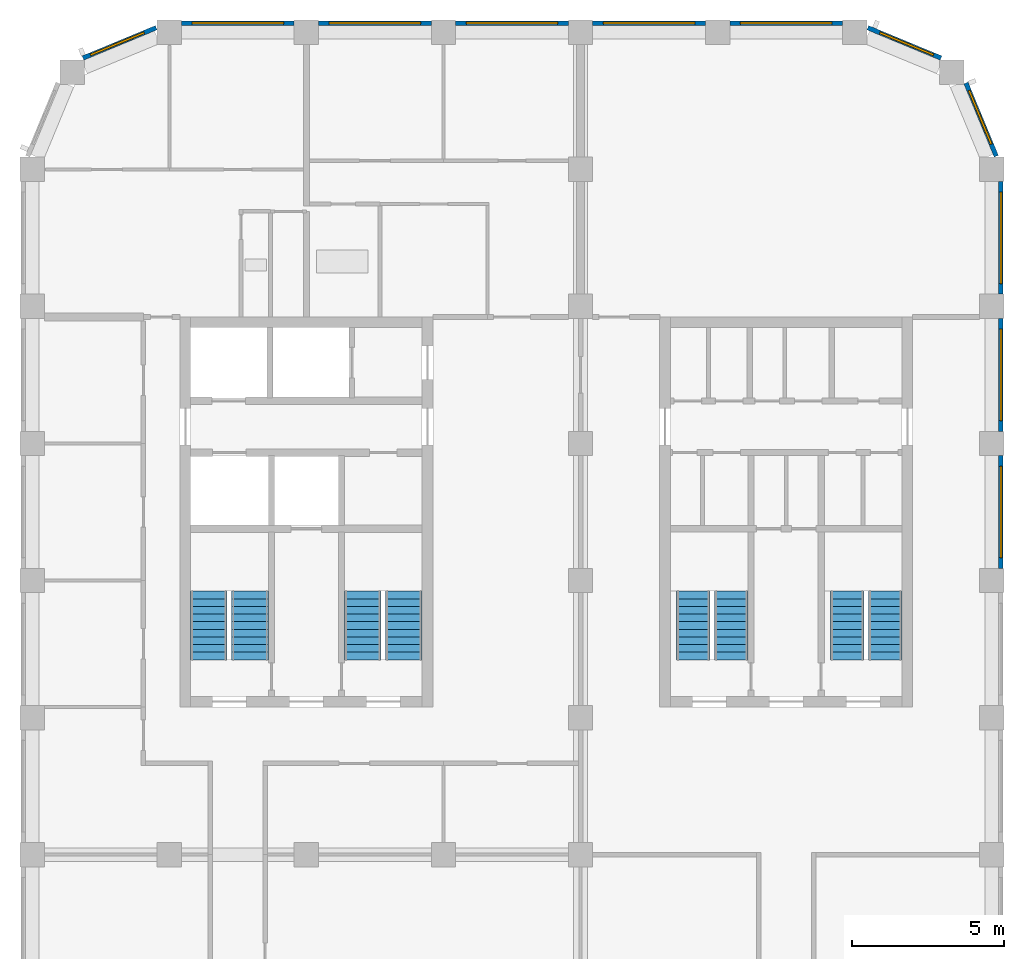
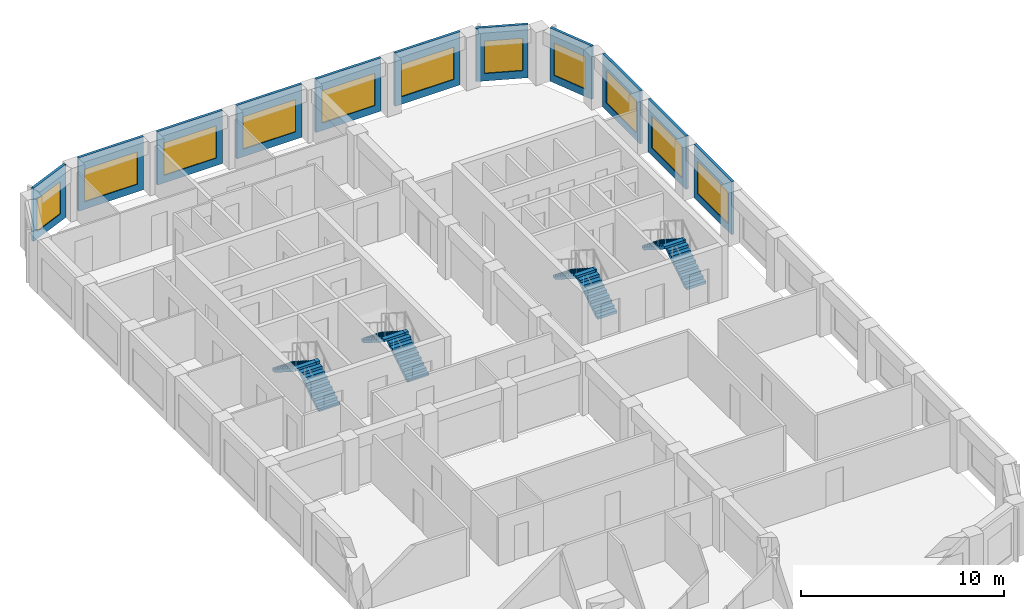
# One storey, part 7 of 9: 11 walls, 11 windows, 8 stair flights, 11 openings, 4 elements without a shape of their own.
"""IFC4 building model written with IfcOpenShell, lengths in metres."""

from ifc_helpers import new_model, si_unit, direction, frame, frame_2d, origin, place, context, subcontext, project, spatial, polyline, rectangle, outline, extrude, material, layer, layer_set, type_object, element, fill, aggregate, save


model = new_model("IFC4")

# Units and contexts
model_context = context("Model", 3, precision=1e-05, world=origin(), true_north=direction((0.0, 1.0)))
body_context = subcontext(model_context, "Body", "Model", "MODEL_VIEW")
ifc_project = project(units=[si_unit("LENGTHUNIT", "METRE"), si_unit("AREAUNIT", "SQUARE_METRE"), si_unit("VOLUMEUNIT", "CUBIC_METRE"), si_unit("PLANEANGLEUNIT", "RADIAN"), si_unit("MASSUNIT", "GRAM", prefix="KILO")], contexts=[model_context])

# Site, building, storey
site_placement = place(None, origin())
site = spatial("IfcSite", under=ifc_project, at=site_placement, CompositionType="ELEMENT")
building_placement = place(site_placement, origin())
building = spatial("IfcBuilding", under=site, at=building_placement, Name="Girih Gate Residences", CompositionType="ELEMENT")
storey_placement = place(building_placement, frame((0.0, 0.0, 222.89501953125)))
storey = spatial("IfcBuildingStorey", under=building, at=storey_placement, Name="L62", CompositionType="ELEMENT", Elevation=222.89501953125)

# Wall, opening, window
ifc_material_1 = material(Name="Precast concrete C50/60", Category="concrete")
ifc_layer_1 = layer(ifc_material_1, 0.050048828125, Name="Outer leaf")
ifc_material_2 = material(Name="Rigid PIR insulation")
ifc_layer_2 = layer(ifc_material_2, 0.06005859375, Name="Insulation")
ifc_material_3 = material(Name="Precast concrete C40/50", Category="concrete")
ifc_layer_3 = layer(ifc_material_3, 0.0400390625, Name="Inner leaf")
ifc_layer_set = layer_set([ifc_layer_1, ifc_layer_2, ifc_layer_3], Name="Precast concrete C50/60 external wall 150")
wall_type = type_object("IfcWallType", Name="Precast concrete C50/60 external wall 150", PredefinedType="SOLIDWALL", material=ifc_layer_set)
wall_1_placement = place(storey_placement, frame((31.800048828125, 35.60009765625, 0.0), z_axis=(0.0, 0.0, 1.0), x_axis=(0.0, -1.0, 0.0)))
wall_1 = element("IfcWall", 1, at=wall_1_placement, inside=storey, type_object=wall_type, Name="External wall E0315_0045.6", PredefinedType="SOLIDWALL", context=body_context, shape_type="SweptSolid", body=[
    extrude(rectangle(XDim=3.7001953125, YDim=0.14990234375, at=frame_2d((1.85009765625, 0.0))), origin(), (0.0, 0.0, 1.0), 3.199951171875),
])
opening_1_placement = place(wall_1_placement, frame((0.35009765625, 0.0, 0.449951171875)))
opening_1 = element("IfcOpeningElement", 2, at=opening_1_placement, cuts=wall_1, Name="Opening W-1D", PredefinedType="OPENING", context=body_context, shape_type="SweptSolid", body=[
    extrude(rectangle(XDim=3.0, YDim=1.949951171875, at=frame_2d((1.5, 0.97509765625))), frame((0.0, 0.0849609375, 0.0), z_axis=(0.0, -1.0, 0.0), x_axis=(1.0, 0.0, 0.0)), (0.0, 0.0, 1.0), 0.169921875),
])
ifc_material_4 = material(Name="Double glazing in aluminium frame", Category="aluminium")
window_type_1 = type_object("IfcWindowType", Name="Window W-1D 3000x1950", PartitioningType="SINGLE_PANEL", PredefinedType="WINDOW", material=ifc_material_4)
window_1_placement = place(opening_1_placement, origin())
window_1 = element("IfcWindow", 3, at=window_1_placement, inside=storey, type_object=window_type_1, Name="Window W-1D E0315_0045.6", OverallHeight=1.949951171875, OverallWidth=3.0, PartitioningType="SINGLE_PANEL", PredefinedType="WINDOW", context=body_context, shape_type="SweptSolid", body=[
    extrude(rectangle(XDim=3.0, YDim=1.949951171875, at=frame_2d((1.5, 0.97509765625))), frame((0.0, 0.030029296875, 0.0), z_axis=(0.0, -1.0, 0.0), x_axis=(1.0, 0.0, 0.0)), (0.0, 0.0, 1.0), 0.06005859375),
])
fill(opening_1, window_1)

wall_2_placement = place(storey_placement, frame((31.800048828125, 40.10009765625, 0.0), z_axis=(0.0, 0.0, 1.0), x_axis=(0.0, -1.0, 0.0)))
wall_2 = element("IfcWall", 4, at=wall_2_placement, inside=storey, type_object=wall_type, Name="External wall E0315_0045.7", PredefinedType="SOLIDWALL", context=body_context, shape_type="SweptSolid", body=[
    extrude(rectangle(XDim=3.7001953125, YDim=0.14990234375, at=frame_2d((1.85009765625, 0.0))), origin(), (0.0, 0.0, 1.0), 3.199951171875),
])
opening_2_placement = place(wall_2_placement, frame((0.35009765625, 0.0, 0.449951171875)))
opening_2 = element("IfcOpeningElement", 5, at=opening_2_placement, cuts=wall_2, Name="Opening W-1D", PredefinedType="OPENING", context=body_context, shape_type="SweptSolid", body=[
    extrude(rectangle(XDim=3.0, YDim=1.949951171875, at=frame_2d((1.5, 0.97509765625))), frame((0.0, 0.0849609375, 0.0), z_axis=(0.0, -1.0, 0.0), x_axis=(1.0, 0.0, 0.0)), (0.0, 0.0, 1.0), 0.169921875),
])
window_2_placement = place(opening_2_placement, origin())
window_2 = element("IfcWindow", 6, at=window_2_placement, inside=storey, type_object=window_type_1, Name="Window W-1D E0315_0045.7", OverallHeight=1.949951171875, OverallWidth=3.0, PartitioningType="SINGLE_PANEL", PredefinedType="WINDOW", context=body_context, shape_type="SweptSolid", body=[
    extrude(rectangle(XDim=3.0, YDim=1.949951171875, at=frame_2d((1.5, 0.97509765625))), frame((0.0, 0.030029296875, 0.0), z_axis=(0.0, -1.0, 0.0), x_axis=(1.0, 0.0, 0.0)), (0.0, 0.0, 1.0), 0.06005859375),
])
fill(opening_2, window_2)

wall_3_placement = place(storey_placement, frame((31.800048828125, 44.60009765625, 0.0), z_axis=(0.0, 0.0, 1.0), x_axis=(0.0, -1.0, 0.0)))
wall_3 = element("IfcWall", 7, at=wall_3_placement, inside=storey, type_object=wall_type, Name="External wall E0315_0045.8", PredefinedType="SOLIDWALL", context=body_context, shape_type="SweptSolid", body=[
    extrude(rectangle(XDim=3.7001953125, YDim=0.14990234375, at=frame_2d((1.85009765625, 0.0))), origin(), (0.0, 0.0, 1.0), 3.199951171875),
])
opening_3_placement = place(wall_3_placement, frame((0.35009765625, 0.0, 0.449951171875)))
opening_3 = element("IfcOpeningElement", 8, at=opening_3_placement, cuts=wall_3, Name="Opening W-1D", PredefinedType="OPENING", context=body_context, shape_type="SweptSolid", body=[
    extrude(rectangle(XDim=3.0, YDim=1.949951171875, at=frame_2d((1.5, 0.97509765625))), frame((0.0, 0.0849609375, 0.0), z_axis=(0.0, -1.0, 0.0), x_axis=(1.0, 0.0, 0.0)), (0.0, 0.0, 1.0), 0.169921875),
])
window_3_placement = place(opening_3_placement, origin())
window_3 = element("IfcWindow", 9, at=window_3_placement, inside=storey, type_object=window_type_1, Name="Window W-1D E0315_0045.8", OverallHeight=1.949951171875, OverallWidth=3.0, PartitioningType="SINGLE_PANEL", PredefinedType="WINDOW", context=body_context, shape_type="SweptSolid", body=[
    extrude(rectangle(XDim=3.0, YDim=1.949951171875, at=frame_2d((1.5, 0.97509765625))), frame((0.0, 0.030029296875, 0.0), z_axis=(0.0, -1.0, 0.0), x_axis=(1.0, 0.0, 0.0)), (0.0, 0.0, 1.0), 0.06005859375),
])
fill(opening_3, window_3)

wall_4_placement = place(storey_placement, frame((30.6513671875, 47.8330078125, 0.0), z_axis=(0.0, 0.0, 1.0), x_axis=(0.382669406082, -0.923885342263, 0.0)))
wall_4 = element("IfcWall", 10, at=wall_4_placement, inside=storey, type_object=wall_type, Name="External wall NE0315_0450.0", PredefinedType="SOLIDWALL", context=body_context, shape_type="SweptSolid", body=[
    extrude(rectangle(XDim=2.602294921875, YDim=0.14990234375, at=frame_2d((1.30126953125, 0.0))), origin(), (0.0, 0.0, 1.0), 3.199951171875),
])
opening_4_placement = place(wall_4_placement, frame((0.27001953125, 0.0, 0.449951171875)))
opening_4 = element("IfcOpeningElement", 11, at=opening_4_placement, cuts=wall_4, Name="Opening W-2G", PredefinedType="OPENING", context=body_context, shape_type="SweptSolid", body=[
    extrude(rectangle(XDim=1.89990234375, YDim=1.949951171875, at=frame_2d((0.949951171875, 0.97509765625))), frame((0.0, 0.0849609375, 0.0), z_axis=(0.0, -1.0, 0.0), x_axis=(1.0, 0.0, 0.0)), (0.0, 0.0, 1.0), 0.169921875),
])
window_type_2 = type_object("IfcWindowType", Name="Window W-2G 1900x1950", PartitioningType="SINGLE_PANEL", PredefinedType="WINDOW", material=ifc_material_4)
window_4_placement = place(opening_4_placement, origin())
window_4 = element("IfcWindow", 12, at=window_4_placement, inside=storey, type_object=window_type_2, Name="Window W-2G NE0315_0450.0", OverallHeight=1.949951171875, OverallWidth=1.89990234375, PartitioningType="SINGLE_PANEL", PredefinedType="WINDOW", context=body_context, shape_type="SweptSolid", body=[
    extrude(rectangle(XDim=1.89990234375, YDim=1.949951171875, at=frame_2d((0.949951171875, 0.97509765625))), frame((0.0, 0.030029296875, 0.0), z_axis=(0.0, -1.0, 0.0), x_axis=(1.0, 0.0, 0.0)), (0.0, 0.0, 1.0), 0.06005859375),
])
fill(opening_4, window_4)

wall_5_placement = place(storey_placement, frame((27.4287109375, 49.647216796875, 0.0), z_axis=(0.0, 0.0, 1.0), x_axis=(0.923885342263, -0.382669406082, 0.0)))
wall_5 = element("IfcWall", 13, at=wall_5_placement, inside=storey, type_object=wall_type, Name="External wall NE0302_0482.0", PredefinedType="SOLIDWALL", context=body_context, shape_type="SweptSolid", body=[
    extrude(rectangle(XDim=2.602294921875, YDim=0.14990234375, at=frame_2d((1.30126953125, 0.0))), origin(), (0.0, 0.0, 1.0), 3.199951171875),
])
opening_5_placement = place(wall_5_placement, frame((0.432373046875, 0.0, 0.449951171875)))
opening_5 = element("IfcOpeningElement", 14, at=opening_5_placement, cuts=wall_5, Name="Opening W-2G", PredefinedType="OPENING", context=body_context, shape_type="SweptSolid", body=[
    extrude(rectangle(XDim=1.89990234375, YDim=1.949951171875, at=frame_2d((0.949951171875, 0.97509765625))), frame((0.0, 0.0849609375, 0.0), z_axis=(0.0, -1.0, 0.0), x_axis=(1.0, 0.0, 0.0)), (0.0, 0.0, 1.0), 0.169921875),
])
window_5_placement = place(opening_5_placement, origin())
window_5 = element("IfcWindow", 15, at=window_5_placement, inside=storey, type_object=window_type_2, Name="Window W-2G NE0302_0482.0", OverallHeight=1.949951171875, OverallWidth=1.89990234375, PartitioningType="SINGLE_PANEL", PredefinedType="WINDOW", context=body_context, shape_type="SweptSolid", body=[
    extrude(rectangle(XDim=1.89990234375, YDim=1.949951171875, at=frame_2d((0.949951171875, 0.97509765625))), frame((0.0, 0.030029296875, 0.0), z_axis=(0.0, -1.0, 0.0), x_axis=(1.0, 0.0, 0.0)), (0.0, 0.0, 1.0), 0.06005859375),
])
fill(opening_5, window_5)

wall_6_placement = place(storey_placement, frame((22.89990234375, 49.800048828125, 0.0), z_axis=(0.0, 0.0, 1.0), x_axis=(1.0, 0.0, 0.0)))
wall_6 = element("IfcWall", 16, at=wall_6_placement, inside=storey, type_object=wall_type, Name="External wall N0270_0495.0", PredefinedType="SOLIDWALL", context=body_context, shape_type="SweptSolid", body=[
    extrude(rectangle(XDim=3.7001953125, YDim=0.14990234375, at=frame_2d((1.85009765625, 0.0))), origin(), (0.0, 0.0, 1.0), 3.199951171875),
])
opening_6_placement = place(wall_6_placement, frame((0.35009765625, 0.0, 0.449951171875)))
opening_6 = element("IfcOpeningElement", 17, at=opening_6_placement, cuts=wall_6, Name="Opening W-1D", PredefinedType="OPENING", context=body_context, shape_type="SweptSolid", body=[
    extrude(rectangle(XDim=3.0, YDim=1.949951171875, at=frame_2d((1.5, 0.97509765625))), frame((0.0, 0.0849609375, 0.0), z_axis=(0.0, -1.0, 0.0), x_axis=(1.0, 0.0, 0.0)), (0.0, 0.0, 1.0), 0.169921875),
])
window_6_placement = place(opening_6_placement, origin())
window_6 = element("IfcWindow", 18, at=window_6_placement, inside=storey, type_object=window_type_1, Name="Window W-1D N0270_0495.0", OverallHeight=1.949951171875, OverallWidth=3.0, PartitioningType="SINGLE_PANEL", PredefinedType="WINDOW", context=body_context, shape_type="SweptSolid", body=[
    extrude(rectangle(XDim=3.0, YDim=1.949951171875, at=frame_2d((1.5, 0.97509765625))), frame((0.0, 0.030029296875, 0.0), z_axis=(0.0, -1.0, 0.0), x_axis=(1.0, 0.0, 0.0)), (0.0, 0.0, 1.0), 0.06005859375),
])
fill(opening_6, window_6)

wall_7_placement = place(storey_placement, frame((18.39990234375, 49.800048828125, 0.0), z_axis=(0.0, 0.0, 1.0), x_axis=(1.0, 0.0, 0.0)))
wall_7 = element("IfcWall", 19, at=wall_7_placement, inside=storey, type_object=wall_type, Name="External wall N0270_0495.1", PredefinedType="SOLIDWALL", context=body_context, shape_type="SweptSolid", body=[
    extrude(rectangle(XDim=3.7001953125, YDim=0.14990234375, at=frame_2d((1.85009765625, 0.0))), origin(), (0.0, 0.0, 1.0), 3.199951171875),
])
opening_7_placement = place(wall_7_placement, frame((0.35009765625, 0.0, 0.449951171875)))
opening_7 = element("IfcOpeningElement", 20, at=opening_7_placement, cuts=wall_7, Name="Opening W-1D", PredefinedType="OPENING", context=body_context, shape_type="SweptSolid", body=[
    extrude(rectangle(XDim=3.0, YDim=1.949951171875, at=frame_2d((1.5, 0.97509765625))), frame((0.0, 0.0849609375, 0.0), z_axis=(0.0, -1.0, 0.0), x_axis=(1.0, 0.0, 0.0)), (0.0, 0.0, 1.0), 0.169921875),
])
window_7_placement = place(opening_7_placement, origin())
window_7 = element("IfcWindow", 21, at=window_7_placement, inside=storey, type_object=window_type_1, Name="Window W-1D N0270_0495.1", OverallHeight=1.949951171875, OverallWidth=3.0, PartitioningType="SINGLE_PANEL", PredefinedType="WINDOW", context=body_context, shape_type="SweptSolid", body=[
    extrude(rectangle(XDim=3.0, YDim=1.949951171875, at=frame_2d((1.5, 0.97509765625))), frame((0.0, 0.030029296875, 0.0), z_axis=(0.0, -1.0, 0.0), x_axis=(1.0, 0.0, 0.0)), (0.0, 0.0, 1.0), 0.06005859375),
])
fill(opening_7, window_7)

wall_8_placement = place(storey_placement, frame((13.89990234375, 49.800048828125, 0.0), z_axis=(0.0, 0.0, 1.0), x_axis=(1.0, 0.0, 0.0)))
wall_8 = element("IfcWall", 22, at=wall_8_placement, inside=storey, type_object=wall_type, Name="External wall N0270_0495.2", PredefinedType="SOLIDWALL", context=body_context, shape_type="SweptSolid", body=[
    extrude(rectangle(XDim=3.7001953125, YDim=0.14990234375, at=frame_2d((1.85009765625, 0.0))), origin(), (0.0, 0.0, 1.0), 3.199951171875),
])
opening_8_placement = place(wall_8_placement, frame((0.35009765625, 0.0, 0.449951171875)))
opening_8 = element("IfcOpeningElement", 23, at=opening_8_placement, cuts=wall_8, Name="Opening W-1D", PredefinedType="OPENING", context=body_context, shape_type="SweptSolid", body=[
    extrude(rectangle(XDim=3.0, YDim=1.949951171875, at=frame_2d((1.5, 0.97509765625))), frame((0.0, 0.0849609375, 0.0), z_axis=(0.0, -1.0, 0.0), x_axis=(1.0, 0.0, 0.0)), (0.0, 0.0, 1.0), 0.169921875),
])
window_8_placement = place(opening_8_placement, origin())
window_8 = element("IfcWindow", 24, at=window_8_placement, inside=storey, type_object=window_type_1, Name="Window W-1D N0270_0495.2", OverallHeight=1.949951171875, OverallWidth=3.0, PartitioningType="SINGLE_PANEL", PredefinedType="WINDOW", context=body_context, shape_type="SweptSolid", body=[
    extrude(rectangle(XDim=3.0, YDim=1.949951171875, at=frame_2d((1.5, 0.97509765625))), frame((0.0, 0.030029296875, 0.0), z_axis=(0.0, -1.0, 0.0), x_axis=(1.0, 0.0, 0.0)), (0.0, 0.0, 1.0), 0.06005859375),
])
fill(opening_8, window_8)

wall_9_placement = place(storey_placement, frame((9.39990234375, 49.800048828125, 0.0), z_axis=(0.0, 0.0, 1.0), x_axis=(1.0, 0.0, 0.0)))
wall_9 = element("IfcWall", 25, at=wall_9_placement, inside=storey, type_object=wall_type, Name="External wall N0270_0495.3", PredefinedType="SOLIDWALL", context=body_context, shape_type="SweptSolid", body=[
    extrude(rectangle(XDim=3.7001953125, YDim=0.14990234375, at=frame_2d((1.85009765625, 0.0))), origin(), (0.0, 0.0, 1.0), 3.199951171875),
])
opening_9_placement = place(wall_9_placement, frame((0.35009765625, 0.0, 0.449951171875)))
opening_9 = element("IfcOpeningElement", 26, at=opening_9_placement, cuts=wall_9, Name="Opening W-1D", PredefinedType="OPENING", context=body_context, shape_type="SweptSolid", body=[
    extrude(rectangle(XDim=3.0, YDim=1.949951171875, at=frame_2d((1.5, 0.97509765625))), frame((0.0, 0.0849609375, 0.0), z_axis=(0.0, -1.0, 0.0), x_axis=(1.0, 0.0, 0.0)), (0.0, 0.0, 1.0), 0.169921875),
])
window_9_placement = place(opening_9_placement, origin())
window_9 = element("IfcWindow", 27, at=window_9_placement, inside=storey, type_object=window_type_1, Name="Window W-1D N0270_0495.3", OverallHeight=1.949951171875, OverallWidth=3.0, PartitioningType="SINGLE_PANEL", PredefinedType="WINDOW", context=body_context, shape_type="SweptSolid", body=[
    extrude(rectangle(XDim=3.0, YDim=1.949951171875, at=frame_2d((1.5, 0.97509765625))), frame((0.0, 0.030029296875, 0.0), z_axis=(0.0, -1.0, 0.0), x_axis=(1.0, 0.0, 0.0)), (0.0, 0.0, 1.0), 0.06005859375),
])
fill(opening_9, window_9)

wall_10_placement = place(storey_placement, frame((4.89990234375, 49.800048828125, 0.0), z_axis=(0.0, 0.0, 1.0), x_axis=(1.0, 0.0, 0.0)))
wall_10 = element("IfcWall", 28, at=wall_10_placement, inside=storey, type_object=wall_type, Name="External wall N0270_0495.4", PredefinedType="SOLIDWALL", context=body_context, shape_type="SweptSolid", body=[
    extrude(rectangle(XDim=3.7001953125, YDim=0.14990234375, at=frame_2d((1.85009765625, 0.0))), origin(), (0.0, 0.0, 1.0), 3.199951171875),
])
opening_10_placement = place(wall_10_placement, frame((0.35009765625, 0.0, 0.449951171875)))
opening_10 = element("IfcOpeningElement", 29, at=opening_10_placement, cuts=wall_10, Name="Opening W-1D", PredefinedType="OPENING", context=body_context, shape_type="SweptSolid", body=[
    extrude(rectangle(XDim=3.0, YDim=1.949951171875, at=frame_2d((1.5, 0.97509765625))), frame((0.0, 0.0849609375, 0.0), z_axis=(0.0, -1.0, 0.0), x_axis=(1.0, 0.0, 0.0)), (0.0, 0.0, 1.0), 0.169921875),
])
window_10_placement = place(opening_10_placement, origin())
window_10 = element("IfcWindow", 30, at=window_10_placement, inside=storey, type_object=window_type_1, Name="Window W-1D N0270_0495.4", OverallHeight=1.949951171875, OverallWidth=3.0, PartitioningType="SINGLE_PANEL", PredefinedType="WINDOW", context=body_context, shape_type="SweptSolid", body=[
    extrude(rectangle(XDim=3.0, YDim=1.949951171875, at=frame_2d((1.5, 0.97509765625))), frame((0.0, 0.030029296875, 0.0), z_axis=(0.0, -1.0, 0.0), x_axis=(1.0, 0.0, 0.0)), (0.0, 0.0, 1.0), 0.06005859375),
])
fill(opening_10, window_10)

wall_11_placement = place(storey_placement, frame((1.6669921875, 48.6513671875, 0.0), z_axis=(0.0, 0.0, 1.0), x_axis=(0.923885342263, 0.382669406082, 0.0)))
wall_11 = element("IfcWall", 31, at=wall_11_placement, inside=storey, type_object=wall_type, Name="External wall NW0045_0495.0", PredefinedType="SOLIDWALL", context=body_context, shape_type="SweptSolid", body=[
    extrude(rectangle(XDim=2.602294921875, YDim=0.14990234375, at=frame_2d((1.30126953125, 0.0))), origin(), (0.0, 0.0, 1.0), 3.199951171875),
])
opening_11_placement = place(wall_11_placement, frame((0.27001953125, 0.0, 0.449951171875)))
opening_11 = element("IfcOpeningElement", 32, at=opening_11_placement, cuts=wall_11, Name="Opening W-2G", PredefinedType="OPENING", context=body_context, shape_type="SweptSolid", body=[
    extrude(rectangle(XDim=1.89990234375, YDim=1.949951171875, at=frame_2d((0.949951171875, 0.97509765625))), frame((0.0, 0.0849609375, 0.0), z_axis=(0.0, -1.0, 0.0), x_axis=(1.0, 0.0, 0.0)), (0.0, 0.0, 1.0), 0.169921875),
])
window_11_placement = place(opening_11_placement, origin())
window_11 = element("IfcWindow", 33, at=window_11_placement, inside=storey, type_object=window_type_2, Name="Window W-2G NW0045_0495.0", OverallHeight=1.949951171875, OverallWidth=1.89990234375, PartitioningType="SINGLE_PANEL", PredefinedType="WINDOW", context=body_context, shape_type="SweptSolid", body=[
    extrude(rectangle(XDim=1.89990234375, YDim=1.949951171875, at=frame_2d((0.949951171875, 0.97509765625))), frame((0.0, 0.030029296875, 0.0), z_axis=(0.0, -1.0, 0.0), x_axis=(1.0, 0.0, 0.0)), (0.0, 0.0, 1.0), 0.06005859375),
])
fill(opening_11, window_11)

# Stair, stair flights
ifc_material_5 = material(Name="Concrete C40/50", Category="concrete")
stair_type_1 = type_object("IfcStairType", Name="Exit stair C core", PredefinedType="HALF_TURN_STAIR", material=ifc_material_5)
stair_1_placement = place(storey_placement, origin())
stair_1 = element("IfcStair", 34, at=stair_1_placement, inside=storey, type_object=stair_type_1, Name="L62 Exit Stair ST-C1", PredefinedType="HALF_TURN_STAIR")
stair_flight_type_1 = type_object("IfcStairFlightType", Name="Stair flight 1100", PredefinedType="STRAIGHT", material=ifc_material_5)
stair_flight_1_placement = place(storey_placement, frame((22.949951171875, 28.89990234375, 0.0), z_axis=(0.0, 0.0, 1.0), x_axis=(0.0, 1.0, 0.0)))
stair_flight_1 = element("IfcStairFlight", 35, at=stair_flight_1_placement, type_object=stair_flight_type_1, Name="ST-C1 flight 1", NumberOfRisers=10, NumberOfTreads=9, PredefinedType="STRAIGHT", RiserHeight=0.16, TreadLength=0.25, context=body_context, shape_type="SweptSolid", body=[
    extrude(outline(polyline([(0.0, 0.0), (0.0, 0.159912109375), (0.25, 0.159912109375), (0.25, 0.320068359375), (0.5, 0.320068359375), (0.5, 0.47998046875), (0.75, 0.47998046875), (0.75, 0.639892578125), (1.0, 0.639892578125), (1.0, 0.800048828125), (1.25, 0.800048828125), (1.25, 0.9599609375), (1.5, 0.9599609375), (1.5, 1.1201171875), (1.75, 1.1201171875), (1.75, 1.280029296875), (2.0, 1.280029296875), (2.0, 1.43994140625), (2.25, 1.43994140625), (2.25, 1.60009765625), (2.25, 1.29736328125), (0.222900390625, 0.0), (0.0, 0.0)])), frame((0.0, 0.550048828125, 0.0), z_axis=(0.0, -1.0, 0.0), x_axis=(1.0, 0.0, 0.0)), (0.0, 0.0, 1.0), 1.10009765625),
])
stair_flight_2_placement = place(storey_placement, frame((21.699951171875, 31.14990234375, 1.60009765625), z_axis=(0.0, 0.0, 1.0), x_axis=(0.0, -1.0, 0.0)))
stair_flight_2 = element("IfcStairFlight", 36, at=stair_flight_2_placement, type_object=stair_flight_type_1, Name="ST-C1 flight 2", NumberOfRisers=10, NumberOfTreads=9, PredefinedType="STRAIGHT", RiserHeight=0.16, TreadLength=0.25, context=body_context, shape_type="SweptSolid", body=[
    extrude(outline(polyline([(0.0, 0.0), (0.0, 0.159912109375), (0.25, 0.159912109375), (0.25, 0.320068359375), (0.5, 0.320068359375), (0.5, 0.47998046875), (0.75, 0.47998046875), (0.75, 0.639892578125), (1.0, 0.639892578125), (1.0, 0.800048828125), (1.25, 0.800048828125), (1.25, 0.9599609375), (1.5, 0.9599609375), (1.5, 1.1201171875), (1.75, 1.1201171875), (1.75, 1.280029296875), (2.0, 1.280029296875), (2.0, 1.43994140625), (2.25, 1.43994140625), (2.25, 1.60009765625), (2.25, 1.29736328125), (0.222900390625, 0.0), (0.0, 0.0)])), frame((0.0, 0.550048828125, 0.0), z_axis=(0.0, -1.0, 0.0), x_axis=(1.0, 0.0, 0.0)), (0.0, 0.0, 1.0), 1.10009765625),
])
aggregate(stair_1, [stair_flight_1, stair_flight_2])

stair_2_placement = place(storey_placement, origin())
stair_2 = element("IfcStair", 37, at=stair_2_placement, inside=storey, type_object=stair_type_1, Name="L62 Exit Stair ST-C2", PredefinedType="HALF_TURN_STAIR")
stair_flight_3_placement = place(storey_placement, frame((28.0, 28.89990234375, 0.0), z_axis=(0.0, 0.0, 1.0), x_axis=(0.0, 1.0, 0.0)))
stair_flight_3 = element("IfcStairFlight", 38, at=stair_flight_3_placement, type_object=stair_flight_type_1, Name="ST-C2 flight 1", NumberOfRisers=10, NumberOfTreads=9, PredefinedType="STRAIGHT", RiserHeight=0.16, TreadLength=0.25, context=body_context, shape_type="SweptSolid", body=[
    extrude(outline(polyline([(0.0, 0.0), (0.0, 0.159912109375), (0.25, 0.159912109375), (0.25, 0.320068359375), (0.5, 0.320068359375), (0.5, 0.47998046875), (0.75, 0.47998046875), (0.75, 0.639892578125), (1.0, 0.639892578125), (1.0, 0.800048828125), (1.25, 0.800048828125), (1.25, 0.9599609375), (1.5, 0.9599609375), (1.5, 1.1201171875), (1.75, 1.1201171875), (1.75, 1.280029296875), (2.0, 1.280029296875), (2.0, 1.43994140625), (2.25, 1.43994140625), (2.25, 1.60009765625), (2.25, 1.29736328125), (0.222900390625, 0.0), (0.0, 0.0)])), frame((0.0, 0.550048828125, 0.0), z_axis=(0.0, -1.0, 0.0), x_axis=(1.0, 0.0, 0.0)), (0.0, 0.0, 1.0), 1.10009765625),
])
stair_flight_4_placement = place(storey_placement, frame((26.75, 31.14990234375, 1.60009765625), z_axis=(0.0, 0.0, 1.0), x_axis=(0.0, -1.0, 0.0)))
stair_flight_4 = element("IfcStairFlight", 39, at=stair_flight_4_placement, type_object=stair_flight_type_1, Name="ST-C2 flight 2", NumberOfRisers=10, NumberOfTreads=9, PredefinedType="STRAIGHT", RiserHeight=0.16, TreadLength=0.25, context=body_context, shape_type="SweptSolid", body=[
    extrude(outline(polyline([(0.0, 0.0), (0.0, 0.159912109375), (0.25, 0.159912109375), (0.25, 0.320068359375), (0.5, 0.320068359375), (0.5, 0.47998046875), (0.75, 0.47998046875), (0.75, 0.639892578125), (1.0, 0.639892578125), (1.0, 0.800048828125), (1.25, 0.800048828125), (1.25, 0.9599609375), (1.5, 0.9599609375), (1.5, 1.1201171875), (1.75, 1.1201171875), (1.75, 1.280029296875), (2.0, 1.280029296875), (2.0, 1.43994140625), (2.25, 1.43994140625), (2.25, 1.60009765625), (2.25, 1.29736328125), (0.222900390625, 0.0), (0.0, 0.0)])), frame((0.0, 0.550048828125, 0.0), z_axis=(0.0, -1.0, 0.0), x_axis=(1.0, 0.0, 0.0)), (0.0, 0.0, 1.0), 1.10009765625),
])
aggregate(stair_2, [stair_flight_3, stair_flight_4])

stair_type_2 = type_object("IfcStairType", Name="Exit stair", PredefinedType="HALF_TURN_STAIR", material=ifc_material_5)
stair_3_placement = place(storey_placement, origin())
stair_3 = element("IfcStair", 40, at=stair_3_placement, inside=storey, type_object=stair_type_2, Name="L62 Exit Stair ST-W1", PredefinedType="HALF_TURN_STAIR")
stair_flight_type_2 = type_object("IfcStairFlightType", Name="Stair flight 1200", PredefinedType="STRAIGHT", material=ifc_material_5)
stair_flight_5_placement = place(storey_placement, frame((7.14990234375, 28.89990234375, 0.0), z_axis=(0.0, 0.0, 1.0), x_axis=(0.0, 1.0, 0.0)))
stair_flight_5 = element("IfcStairFlight", 41, at=stair_flight_5_placement, type_object=stair_flight_type_2, Name="ST-W1 flight 1", NumberOfRisers=10, NumberOfTreads=9, PredefinedType="STRAIGHT", RiserHeight=0.16, TreadLength=0.25, context=body_context, shape_type="SweptSolid", body=[
    extrude(outline(polyline([(0.0, 0.0), (0.0, 0.159912109375), (0.25, 0.159912109375), (0.25, 0.320068359375), (0.5, 0.320068359375), (0.5, 0.47998046875), (0.75, 0.47998046875), (0.75, 0.639892578125), (1.0, 0.639892578125), (1.0, 0.800048828125), (1.25, 0.800048828125), (1.25, 0.9599609375), (1.5, 0.9599609375), (1.5, 1.1201171875), (1.75, 1.1201171875), (1.75, 1.280029296875), (2.0, 1.280029296875), (2.0, 1.43994140625), (2.25, 1.43994140625), (2.25, 1.60009765625), (2.25, 1.29736328125), (0.222900390625, 0.0), (0.0, 0.0)])), frame((0.0, 0.60009765625, 0.0), z_axis=(0.0, -1.0, 0.0), x_axis=(1.0, 0.0, 0.0)), (0.0, 0.0, 1.0), 1.199951171875),
])
stair_flight_6_placement = place(storey_placement, frame((5.800048828125, 31.14990234375, 1.60009765625), z_axis=(0.0, 0.0, 1.0), x_axis=(0.0, -1.0, 0.0)))
stair_flight_6 = element("IfcStairFlight", 42, at=stair_flight_6_placement, type_object=stair_flight_type_2, Name="ST-W1 flight 2", NumberOfRisers=10, NumberOfTreads=9, PredefinedType="STRAIGHT", RiserHeight=0.16, TreadLength=0.25, context=body_context, shape_type="SweptSolid", body=[
    extrude(outline(polyline([(0.0, 0.0), (0.0, 0.159912109375), (0.25, 0.159912109375), (0.25, 0.320068359375), (0.5, 0.320068359375), (0.5, 0.47998046875), (0.75, 0.47998046875), (0.75, 0.639892578125), (1.0, 0.639892578125), (1.0, 0.800048828125), (1.25, 0.800048828125), (1.25, 0.9599609375), (1.5, 0.9599609375), (1.5, 1.1201171875), (1.75, 1.1201171875), (1.75, 1.280029296875), (2.0, 1.280029296875), (2.0, 1.43994140625), (2.25, 1.43994140625), (2.25, 1.60009765625), (2.25, 1.29736328125), (0.222900390625, 0.0), (0.0, 0.0)])), frame((0.0, 0.60009765625, 0.0), z_axis=(0.0, -1.0, 0.0), x_axis=(1.0, 0.0, 0.0)), (0.0, 0.0, 1.0), 1.199951171875),
])
aggregate(stair_3, [stair_flight_5, stair_flight_6])

stair_4_placement = place(storey_placement, origin())
stair_4 = element("IfcStair", 43, at=stair_4_placement, inside=storey, type_object=stair_type_2, Name="L62 Exit Stair ST-W2", PredefinedType="HALF_TURN_STAIR")
stair_flight_7_placement = place(storey_placement, frame((12.199951171875, 28.89990234375, 0.0), z_axis=(0.0, 0.0, 1.0), x_axis=(0.0, 1.0, 0.0)))
stair_flight_7 = element("IfcStairFlight", 44, at=stair_flight_7_placement, type_object=stair_flight_type_2, Name="ST-W2 flight 1", NumberOfRisers=10, NumberOfTreads=9, PredefinedType="STRAIGHT", RiserHeight=0.16, TreadLength=0.25, context=body_context, shape_type="SweptSolid", body=[
    extrude(outline(polyline([(0.0, 0.0), (0.0, 0.159912109375), (0.25, 0.159912109375), (0.25, 0.320068359375), (0.5, 0.320068359375), (0.5, 0.47998046875), (0.75, 0.47998046875), (0.75, 0.639892578125), (1.0, 0.639892578125), (1.0, 0.800048828125), (1.25, 0.800048828125), (1.25, 0.9599609375), (1.5, 0.9599609375), (1.5, 1.1201171875), (1.75, 1.1201171875), (1.75, 1.280029296875), (2.0, 1.280029296875), (2.0, 1.43994140625), (2.25, 1.43994140625), (2.25, 1.60009765625), (2.25, 1.29736328125), (0.222900390625, 0.0), (0.0, 0.0)])), frame((0.0, 0.60009765625, 0.0), z_axis=(0.0, -1.0, 0.0), x_axis=(1.0, 0.0, 0.0)), (0.0, 0.0, 1.0), 1.199951171875),
])
stair_flight_8_placement = place(storey_placement, frame((10.85009765625, 31.14990234375, 1.60009765625), z_axis=(0.0, 0.0, 1.0), x_axis=(0.0, -1.0, 0.0)))
stair_flight_8 = element("IfcStairFlight", 45, at=stair_flight_8_placement, type_object=stair_flight_type_2, Name="ST-W2 flight 2", NumberOfRisers=10, NumberOfTreads=9, PredefinedType="STRAIGHT", RiserHeight=0.16, TreadLength=0.25, context=body_context, shape_type="SweptSolid", body=[
    extrude(outline(polyline([(0.0, 0.0), (0.0, 0.159912109375), (0.25, 0.159912109375), (0.25, 0.320068359375), (0.5, 0.320068359375), (0.5, 0.47998046875), (0.75, 0.47998046875), (0.75, 0.639892578125), (1.0, 0.639892578125), (1.0, 0.800048828125), (1.25, 0.800048828125), (1.25, 0.9599609375), (1.5, 0.9599609375), (1.5, 1.1201171875), (1.75, 1.1201171875), (1.75, 1.280029296875), (2.0, 1.280029296875), (2.0, 1.43994140625), (2.25, 1.43994140625), (2.25, 1.60009765625), (2.25, 1.29736328125), (0.222900390625, 0.0), (0.0, 0.0)])), frame((0.0, 0.60009765625, 0.0), z_axis=(0.0, -1.0, 0.0), x_axis=(1.0, 0.0, 0.0)), (0.0, 0.0, 1.0), 1.199951171875),
])
aggregate(stair_4, [stair_flight_7, stair_flight_8])

save(model, "model.ifc")
